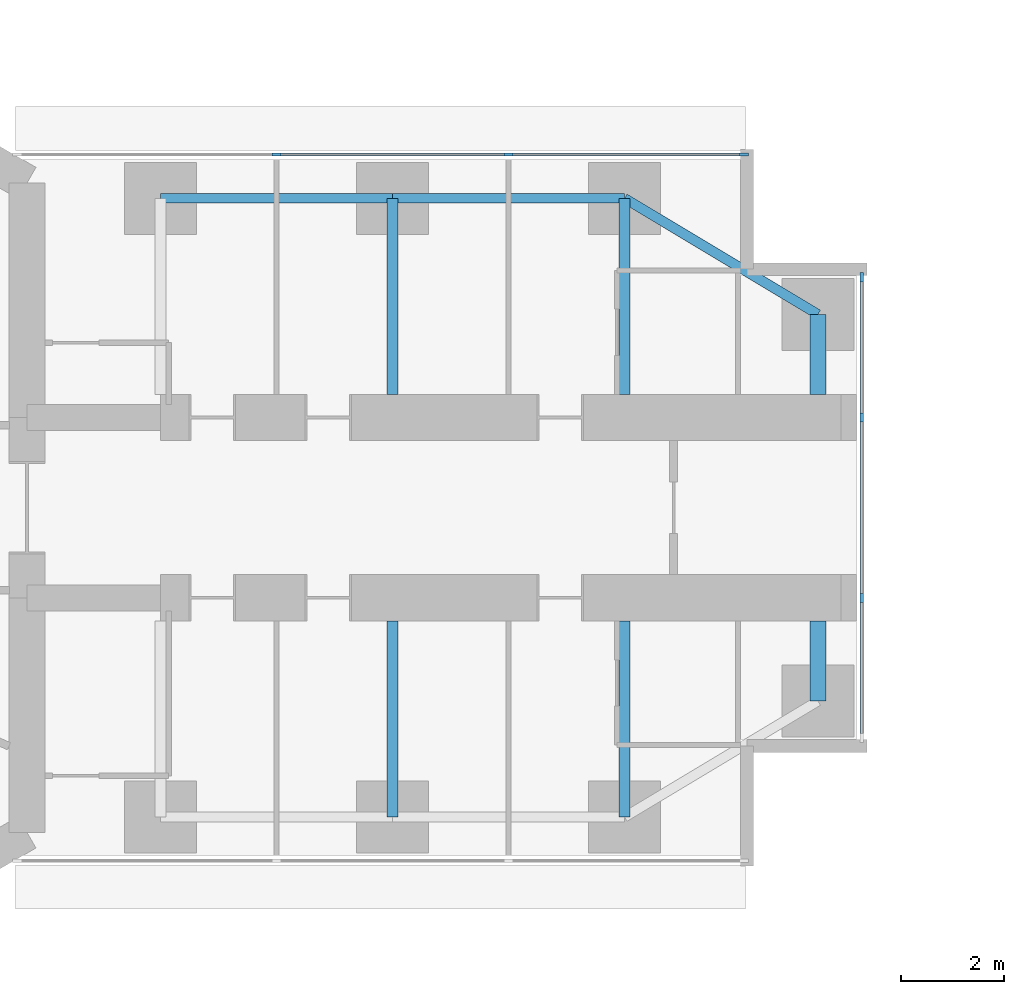
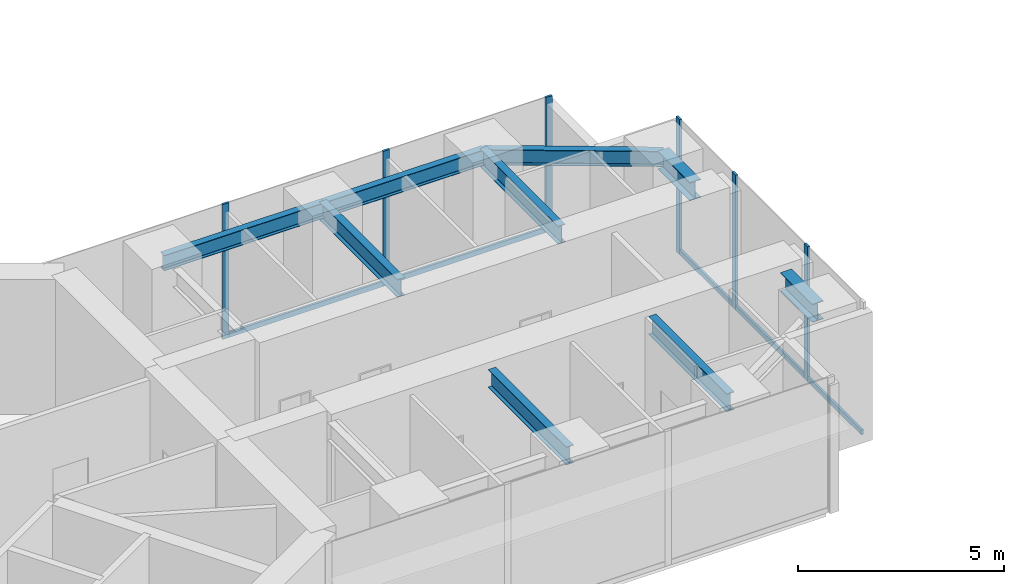
# One storey, part 8 of 25: 11 members, 9 beams, 2 elements without a shape of their own.
"""IFC4 building model written with IfcOpenShell, lengths in metres."""

from ifc_helpers import new_model, si_unit, direction, frame, origin, origin_2d, place, context, subcontext, project, spatial, rectangle, i_section, extrude, material, material_profile, profile_set, type_object, element, aggregate, save


model = new_model("IFC4")

# Units and contexts
model_context = context("Model", 3, precision=1e-05, world=origin(), true_north=direction((0.0, 1.0)))
body_context = subcontext(model_context, "Body", "Model", "MODEL_VIEW")
ifc_project = project(units=[si_unit("LENGTHUNIT", "METRE"), si_unit("AREAUNIT", "SQUARE_METRE"), si_unit("VOLUMEUNIT", "CUBIC_METRE"), si_unit("PLANEANGLEUNIT", "RADIAN"), si_unit("MASSUNIT", "GRAM", prefix="KILO")], contexts=[model_context])

# Site, building, storey
site_placement = place(None, origin())
site = spatial("IfcSite", under=ifc_project, at=site_placement, CompositionType="ELEMENT")
building_placement = place(site_placement, origin())
building = spatial("IfcBuilding", under=site, at=building_placement, Name="Upepo Twin Towers", CompositionType="ELEMENT")
storey_placement = place(building_placement, frame((0.0, 0.0, 72.5)))
storey = spatial("IfcBuildingStorey", under=building, at=storey_placement, Name="L17", CompositionType="ELEMENT", Elevation=72.5)

# Beams
ifc_material_1 = material(Name="Steel S355", Category="steel")
ifc_material_profile_1 = material_profile(ifc_material_1, i_section(OverallWidth=0.1904296875, OverallDepth=0.45703125, WebThickness=0.009033203125, FlangeThickness=0.014404296875, FilletRadius=0.01025390625, at=origin_2d()), Name="UB 457x191x74")
ifc_profile_set_1 = profile_set([ifc_material_profile_1], Name="Steel S355")
beam_type_1 = type_object("IfcBeamType", Name="Beam UB 457x191x74", PredefinedType="BEAM", material=ifc_profile_set_1)
for number, where, z_axis, x_axis, name in (
    (1, (13.5, 6.0, 3.571533203125), (1.0, 0.0, 0.0), (0.0, 1.0, 0.0), "T1 edge beam AL 13.5-18.0"),
    (2, (18.0, 6.0, 3.571533203125), (1.0, 0.0, 0.0), (0.0, 1.0, 0.0), "T1 edge beam AL 18.0-22.5"),
):
    element("IfcBeam", number, at=place(storey_placement, frame(where, z_axis=z_axis, x_axis=x_axis)), inside=storey, type_object=beam_type_1, Name=name, PredefinedType="BEAM", context=body_context, shape_type="SweptSolid", body=[
        extrude(i_section(OverallWidth=0.1904296875, OverallDepth=0.45703125, WebThickness=0.009033203125, FlangeThickness=0.014404296875, FilletRadius=0.01025390625, at=origin_2d()), origin(), (0.0, 0.0, 1.0), 4.5),
    ])
beam_placement = place(storey_placement, frame((22.5, 6.0, 3.571533203125), z_axis=(0.857492925713, -0.514495755428, 0.0), x_axis=(0.514495755428, 0.857492925713, 0.0)))
element("IfcBeam", 3, at=beam_placement, inside=storey, type_object=beam_type_1, Name="T1 nose edge beam AL", PredefinedType="BEAM", context=body_context, shape_type="SweptSolid", body=[
    extrude(i_section(OverallWidth=0.1904296875, OverallDepth=0.45703125, WebThickness=0.009033203125, FlangeThickness=0.014404296875, FilletRadius=0.01025390625, at=origin_2d()), origin(), (0.0, 0.0, 1.0), 4.373291015625),
])
ifc_material_2 = material(Name="Steel S355", Category="steel")
ifc_material_profile_2 = material_profile(ifc_material_2, i_section(OverallWidth=0.209228515625, OverallDepth=0.533203125, WebThickness=0.010009765625, FlangeThickness=0.015625, FilletRadius=0.0126953125, at=origin_2d()), Name="UB 533x210x92")
ifc_profile_set_2 = profile_set([ifc_material_profile_2], Name="Steel S355")
beam_type_2 = type_object("IfcBeamType", Name="Beam UB 533x210x92", PredefinedType="BEAM", material=ifc_profile_set_2)
for number, where, z_axis, x_axis, name in (
    (4, (18.0, 6.0, 3.533447265625), (0.0, -1.0, 0.0), (1.0, 0.0, 0.0), "T1 girder AL at 18.0"),
    (5, (22.5, 6.0, 3.533447265625), (0.0, -1.0, 0.0), (1.0, 0.0, 0.0), "T1 girder AL at 22.5"),
    (6, (18.0, -6.0, 3.533447265625), (0.0, 1.0, 0.0), (-1.0, 0.0, 0.0), "T1 girder AR at 18.0"),
    (7, (22.5, -6.0, 3.533447265625), (0.0, 1.0, 0.0), (-1.0, 0.0, 0.0), "T1 girder AR at 22.5"),
):
    element("IfcBeam", number, at=place(storey_placement, frame(where, z_axis=z_axis, x_axis=x_axis)), inside=storey, type_object=beam_type_2, Name=name, PredefinedType="BEAM", context=body_context, shape_type="SweptSolid", body=[
        extrude(i_section(OverallWidth=0.209228515625, OverallDepth=0.533203125, WebThickness=0.010009765625, FlangeThickness=0.015625, FilletRadius=0.0126953125, at=origin_2d()), origin(), (0.0, 0.0, 1.0), 3.800048828125),
    ])
ifc_material_3 = material(Name="Steel S355", Category="steel")
ifc_material_profile_3 = material_profile(ifc_material_3, i_section(OverallWidth=0.31201171875, OverallDepth=0.54345703125, WebThickness=0.0126953125, FlangeThickness=0.020263671875, FilletRadius=0.0126953125, at=origin_2d()), Name="UB 533x312x150")
ifc_profile_set_3 = profile_set([ifc_material_profile_3], Name="Steel S355")
beam_type_3 = type_object("IfcBeamType", Name="Beam UB 533x312x150", PredefinedType="BEAM", material=ifc_profile_set_3)
for number, where, z_axis, x_axis, name in (
    (8, (26.25, 3.75, 3.5283203125), (0.0, -1.0, 0.0), (1.0, 0.0, 0.0), "T1 nose beam AL"),
    (9, (26.25, -3.75, 3.5283203125), (0.0, 1.0, 0.0), (-1.0, 0.0, 0.0), "T1 nose beam AR"),
):
    element("IfcBeam", number, at=place(storey_placement, frame(where, z_axis=z_axis, x_axis=x_axis)), inside=storey, type_object=beam_type_3, Name=name, PredefinedType="BEAM", context=body_context, shape_type="SweptSolid", body=[
        extrude(i_section(OverallWidth=0.31201171875, OverallDepth=0.54345703125, WebThickness=0.0126953125, FlangeThickness=0.020263671875, FilletRadius=0.0126953125, at=origin_2d()), origin(), (0.0, 0.0, 1.0), 1.550048828125),
    ])

# Curtain wall, members
ifc_material_4 = material(Name="Aluminium and fritted glass", Category="aluminium")
curtain_wall_type = type_object("IfcCurtainWallType", Name="Tower curtain wall TW1, fritted glass", PredefinedType="NOTDEFINED", material=ifc_material_4)
curtain_wall_1_placement = place(storey_placement, origin())
curtain_wall_1 = element("IfcCurtainWall", 10, at=curtain_wall_1_placement, inside=storey, type_object=curtain_wall_type, Name="T1 L17 wing A flank L curtain wall", PredefinedType="NOTDEFINED")
ifc_material_5 = material(Name="Aluminium mullion", Category="aluminium")
ifc_material_profile_4 = material_profile(ifc_material_5, rectangle(XDim=0.06494140625, YDim=0.179931640625, at=origin_2d()), Name="MULLION 65x180")
ifc_profile_set_4 = profile_set([ifc_material_profile_4], Name="Aluminium mullion")
member_type_1 = type_object("IfcMemberType", Name="Mullion 65x180 TW1", PredefinedType="MULLION", material=ifc_profile_set_4)
member_1_placement = place(storey_placement, frame((15.75, 6.85009765625, 0.0), z_axis=(0.0, 0.0, 1.0), x_axis=(0.0, 1.0, 0.0)))
member_1 = element("IfcMember", 11, at=member_1_placement, type_object=member_type_1, Name="T1 L17 wing A flank L curtain wall mullion 2", PredefinedType="MULLION", context=body_context, shape_type="SweptSolid", body=[
    extrude(rectangle(XDim=0.06494140625, YDim=0.179931640625, at=origin_2d()), origin(), (0.0, 0.0, 1.0), 4.0),
])
member_2_placement = place(storey_placement, frame((20.25, 6.85009765625, 0.0), z_axis=(0.0, 0.0, 1.0), x_axis=(0.0, 1.0, 0.0)))
member_2 = element("IfcMember", 12, at=member_2_placement, type_object=member_type_1, Name="T1 L17 wing A flank L curtain wall mullion 3", PredefinedType="MULLION", context=body_context, shape_type="SweptSolid", body=[
    extrude(rectangle(XDim=0.06494140625, YDim=0.179931640625, at=origin_2d()), origin(), (0.0, 0.0, 1.0), 4.0),
])
member_3_placement = place(storey_placement, frame((24.8173828125, 6.85009765625, 0.0), z_axis=(0.0, 0.0, 1.0), x_axis=(0.0, 1.0, 0.0)))
member_3 = element("IfcMember", 13, at=member_3_placement, type_object=member_type_1, Name="T1 L17 wing A flank L curtain wall mullion 4", PredefinedType="MULLION", context=body_context, shape_type="SweptSolid", body=[
    extrude(rectangle(XDim=0.06494140625, YDim=0.179931640625, at=origin_2d()), origin(), (0.0, 0.0, 1.0), 4.0),
])

curtain_wall_2_placement = place(storey_placement, origin())
curtain_wall_2 = element("IfcCurtainWall", 14, at=curtain_wall_2_placement, inside=storey, type_object=curtain_wall_type, Name="T1 L17 wing A nose curtain wall", PredefinedType="NOTDEFINED")
member_4_placement = place(storey_placement, frame((27.10009765625, -1.75, 0.0), z_axis=(0.0, 0.0, 1.0), x_axis=(-1.0, 0.0, 0.0)))
member_4 = element("IfcMember", 15, at=member_4_placement, type_object=member_type_1, Name="T1 L17 wing A nose curtain wall mullion 2", PredefinedType="MULLION", context=body_context, shape_type="SweptSolid", body=[
    extrude(rectangle(XDim=0.06494140625, YDim=0.179931640625, at=origin_2d()), origin(), (0.0, 0.0, 1.0), 4.0),
])
member_5_placement = place(storey_placement, frame((27.10009765625, 1.75, 0.0), z_axis=(0.0, 0.0, 1.0), x_axis=(-1.0, 0.0, 0.0)))
member_5 = element("IfcMember", 16, at=member_5_placement, type_object=member_type_1, Name="T1 L17 wing A nose curtain wall mullion 3", PredefinedType="MULLION", context=body_context, shape_type="SweptSolid", body=[
    extrude(rectangle(XDim=0.06494140625, YDim=0.179931640625, at=origin_2d()), origin(), (0.0, 0.0, 1.0), 4.0),
])
member_6_placement = place(storey_placement, frame((27.10009765625, 4.467529296875, 0.0), z_axis=(0.0, 0.0, 1.0), x_axis=(-1.0, 0.0, 0.0)))
member_6 = element("IfcMember", 17, at=member_6_placement, type_object=member_type_1, Name="T1 L17 wing A nose curtain wall mullion 4", PredefinedType="MULLION", context=body_context, shape_type="SweptSolid", body=[
    extrude(rectangle(XDim=0.06494140625, YDim=0.179931640625, at=origin_2d()), origin(), (0.0, 0.0, 1.0), 4.0),
])

# Member
ifc_material_6 = material(Name="Aluminium transom", Category="aluminium")
ifc_material_profile_5 = material_profile(ifc_material_6, rectangle(XDim=0.06494140625, YDim=0.14990234375, at=origin_2d()), Name="TRANSOM 65x150")
ifc_profile_set_5 = profile_set([ifc_material_profile_5], Name="Aluminium transom")
member_type_2 = type_object("IfcMemberType", Name="Transom 65x150 TW1", PredefinedType="USERDEFINED", material=ifc_profile_set_5)
member_7_placement = place(storey_placement, frame((15.782470703125, 6.85009765625, 0.074951171875), z_axis=(1.0, 0.0, 0.0), x_axis=(0.0, 1.0, 0.0)))
member_7 = element("IfcMember", 18, at=member_7_placement, type_object=member_type_2, Name="T1 L17 wing A flank L curtain wall transom 2", ObjectType="TRANSOM", PredefinedType="USERDEFINED", context=body_context, shape_type="SweptSolid", body=[
    extrude(rectangle(XDim=0.06494140625, YDim=0.14990234375, at=origin_2d()), origin(), (0.0, 0.0, 1.0), 4.43505859375),
])

member_8_placement = place(storey_placement, frame((20.282470703125, 6.85009765625, 0.074951171875), z_axis=(1.0, 0.0, 0.0), x_axis=(0.0, 1.0, 0.0)))
member_8 = element("IfcMember", 19, at=member_8_placement, type_object=member_type_2, Name="T1 L17 wing A flank L curtain wall transom 3", ObjectType="TRANSOM", PredefinedType="USERDEFINED", context=body_context, shape_type="SweptSolid", body=[
    extrude(rectangle(XDim=0.06494140625, YDim=0.14990234375, at=origin_2d()), origin(), (0.0, 0.0, 1.0), 4.50244140625),
])

aggregate(curtain_wall_1, [member_1, member_2, member_3, member_7, member_8])

member_9_placement = place(storey_placement, frame((27.10009765625, -4.43505859375, 0.074951171875), z_axis=(0.0, 1.0, 0.0), x_axis=(-1.0, 0.0, 0.0)))
member_9 = element("IfcMember", 20, at=member_9_placement, type_object=member_type_2, Name="T1 L17 wing A nose curtain wall transom 1", ObjectType="TRANSOM", PredefinedType="USERDEFINED", context=body_context, shape_type="SweptSolid", body=[
    extrude(rectangle(XDim=0.06494140625, YDim=0.14990234375, at=origin_2d()), origin(), (0.0, 0.0, 1.0), 2.652587890625),
])

member_10_placement = place(storey_placement, frame((27.10009765625, -1.717529296875, 0.074951171875), z_axis=(0.0, 1.0, 0.0), x_axis=(-1.0, 0.0, 0.0)))
member_10 = element("IfcMember", 21, at=member_10_placement, type_object=member_type_2, Name="T1 L17 wing A nose curtain wall transom 2", ObjectType="TRANSOM", PredefinedType="USERDEFINED", context=body_context, shape_type="SweptSolid", body=[
    extrude(rectangle(XDim=0.06494140625, YDim=0.14990234375, at=origin_2d()), origin(), (0.0, 0.0, 1.0), 3.43505859375),
])

member_11_placement = place(storey_placement, frame((27.10009765625, 1.782470703125, 0.074951171875), z_axis=(0.0, 1.0, 0.0), x_axis=(-1.0, 0.0, 0.0)))
member_11 = element("IfcMember", 22, at=member_11_placement, type_object=member_type_2, Name="T1 L17 wing A nose curtain wall transom 3", ObjectType="TRANSOM", PredefinedType="USERDEFINED", context=body_context, shape_type="SweptSolid", body=[
    extrude(rectangle(XDim=0.06494140625, YDim=0.14990234375, at=origin_2d()), origin(), (0.0, 0.0, 1.0), 2.652587890625),
])

aggregate(curtain_wall_2, [member_4, member_5, member_6, member_9, member_10, member_11])

save(model, "model.ifc")
